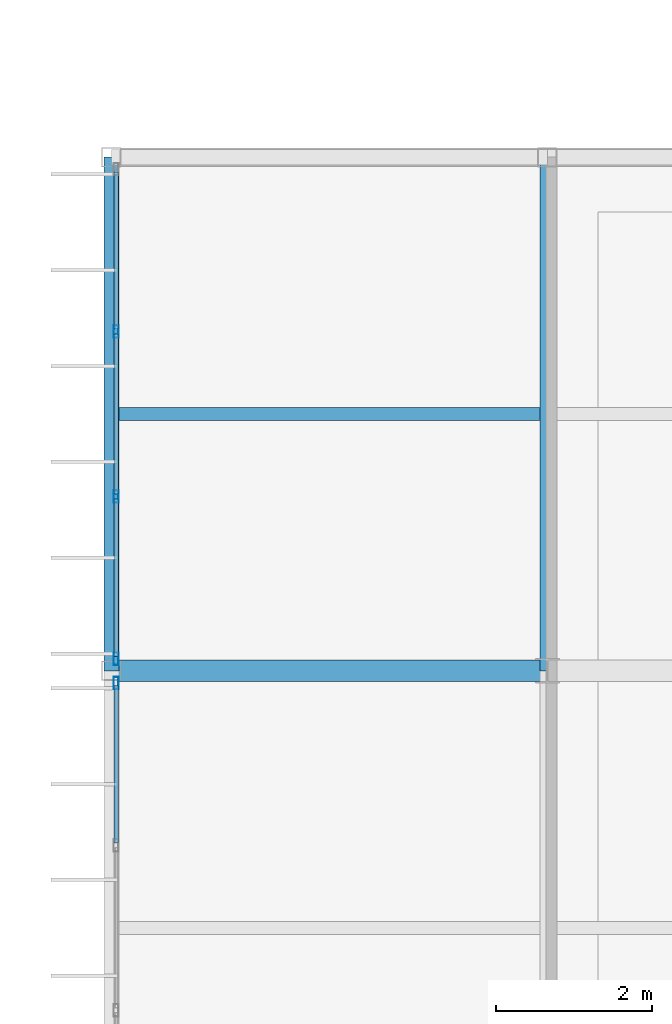
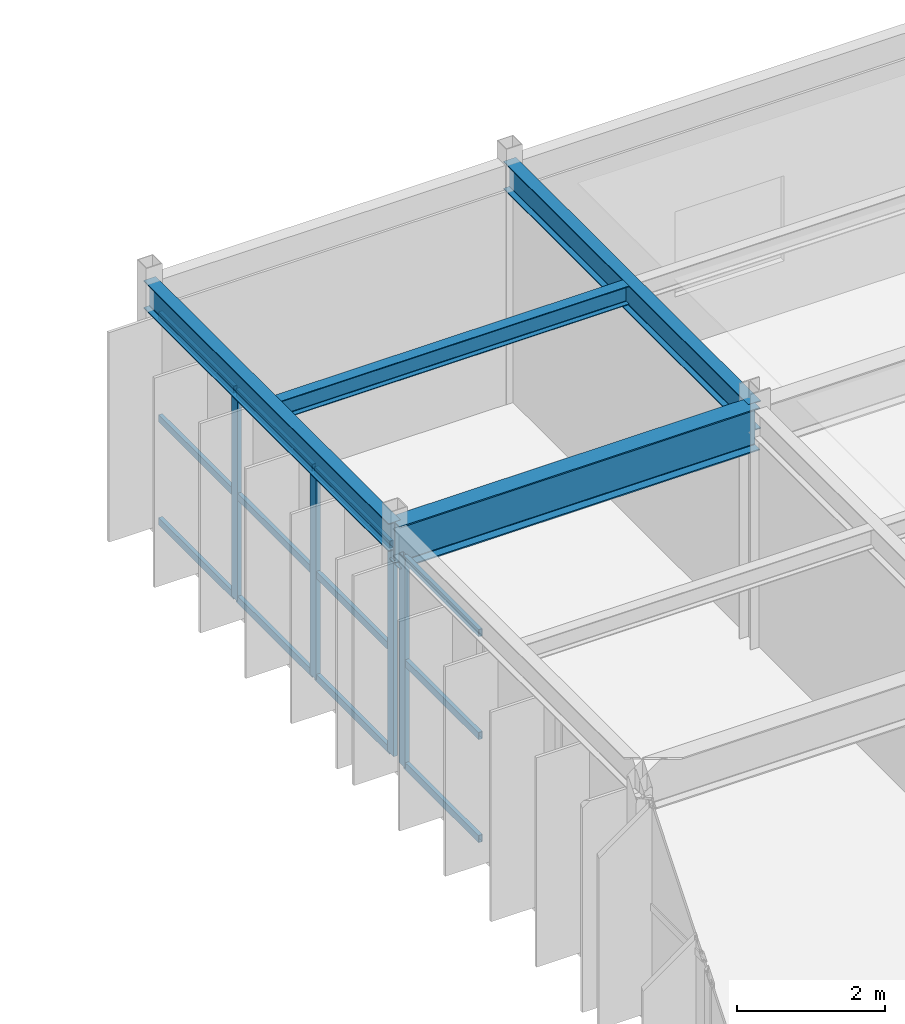
# One storey, part 67 of 147: 16 members, 4 beams, 2 elements without a shape of their own.
"""IFC4 building model written with IfcOpenShell, lengths in metres."""

from ifc_helpers import new_model, si_unit, direction, frame, origin, origin_2d, place, context, subcontext, project, spatial, hollow_rectangle, i_section, extrude, material, material_profile, profile_set, type_object, element, aggregate, save


model = new_model("IFC4")

# Units and contexts
model_context = context("Model", 3, precision=1e-05, world=origin(), true_north=direction((0.0, 1.0)))
body_context = subcontext(model_context, "Body", "Model", "MODEL_VIEW")
ifc_project = project(units=[si_unit("LENGTHUNIT", "METRE"), si_unit("AREAUNIT", "SQUARE_METRE"), si_unit("VOLUMEUNIT", "CUBIC_METRE"), si_unit("PLANEANGLEUNIT", "RADIAN"), si_unit("MASSUNIT", "GRAM", prefix="KILO")], contexts=[model_context])

# Site, building, storey
site_placement = place(None, origin())
site = spatial("IfcSite", under=ifc_project, at=site_placement, CompositionType="ELEMENT")
building_placement = place(site_placement, origin())
building = spatial("IfcBuilding", under=site, at=building_placement, Name="Karori Crest Natural Sciences Institute", CompositionType="ELEMENT")
storey_placement = place(building_placement, frame((0.0, 0.0, 9.10009765625)))
storey = spatial("IfcBuildingStorey", under=building, at=storey_placement, Name="L02", CompositionType="ELEMENT", Elevation=9.10009765625)

# Beams
ifc_material_1 = material(Name="Structural steel AS/NZS 3679.1 Grade 350", Category="steel")
ifc_material_profile_1 = material_profile(ifc_material_1, i_section(OverallWidth=0.27490234375, OverallDepth=0.699951171875, WebThickness=0.010009765625, FlangeThickness=0.02001953125, FilletRadius=0.013916015625, at=origin_2d()), Name="700WB150")
ifc_profile_set_1 = profile_set([ifc_material_profile_1], Name="Structural steel AS/NZS 3679.1 Grade 350")
beam_type_1 = type_object("IfcBeamType", Name="BT-03", PredefinedType="BEAM", material=ifc_profile_set_1)
beam_1_placement = place(storey_placement, frame((1.800048828125, 66.800048828125, 3.56982421875), z_axis=(1.0, 0.0, 0.0), x_axis=(0.0, 1.0, 0.0)))
element("IfcBeam", 1, at=beam_1_placement, inside=storey, type_object=beam_type_1, Name="Beam B-1090", PredefinedType="BEAM", context=body_context, shape_type="SweptSolid", body=[
    extrude(i_section(OverallWidth=0.27490234375, OverallDepth=0.699951171875, WebThickness=0.010009765625, FlangeThickness=0.02001953125, FilletRadius=0.013916015625, at=origin_2d()), origin(), (0.0, 0.0, 1.0), 5.599853515625),
])
ifc_material_profile_2 = material_profile(ifc_material_1, i_section(OverallWidth=0.19091796875, OverallDepth=0.4599609375, WebThickness=0.010009765625, FlangeThickness=0.01611328125, FilletRadius=0.010986328125, at=origin_2d()), Name="460UB82.1")
ifc_profile_set_2 = profile_set([ifc_material_profile_2], Name="Structural steel AS/NZS 3679.1 Grade 350")
beam_type_2 = type_object("IfcBeamType", Name="BT-06", PredefinedType="BEAM", material=ifc_profile_set_2)
beam_2_placement = place(storey_placement, frame((7.39990234375, 66.800048828125, 3.68994140625), z_axis=(0.0, 1.0, 0.0), x_axis=(-1.0, 0.0, 0.0)))
element("IfcBeam", 2, at=beam_2_placement, inside=storey, type_object=beam_type_2, Name="Beam B-1109", PredefinedType="BEAM", context=body_context, shape_type="SweptSolid", body=[
    extrude(i_section(OverallWidth=0.19091796875, OverallDepth=0.4599609375, WebThickness=0.010009765625, FlangeThickness=0.01611328125, FilletRadius=0.010986328125, at=origin_2d()), origin(), (0.0, 0.0, 1.0), 6.599853515625),
])
ifc_material_profile_3 = material_profile(ifc_material_1, i_section(OverallWidth=0.19091796875, OverallDepth=0.4599609375, WebThickness=0.010009765625, FlangeThickness=0.01611328125, FilletRadius=0.010986328125, at=origin_2d()), Name="460UB82.1")
ifc_profile_set_3 = profile_set([ifc_material_profile_3], Name="Structural steel AS/NZS 3679.1 Grade 350")
beam_type_3 = type_object("IfcBeamType", Name="BT-06-EL", PredefinedType="BEAM", material=ifc_profile_set_3)
beam_3_placement = place(storey_placement, frame((1.800048828125, 66.800048828125, 3.68994140625), z_axis=(0.0, 1.0, 0.0), x_axis=(-1.0, 0.0, 0.0)))
element("IfcBeam", 3, at=beam_3_placement, inside=storey, type_object=beam_type_3, Name="Beam B-1102", PredefinedType="BEAM", context=body_context, shape_type="SweptSolid", body=[
    extrude(i_section(OverallWidth=0.19091796875, OverallDepth=0.4599609375, WebThickness=0.010009765625, FlangeThickness=0.01611328125, FilletRadius=0.010986328125, at=origin_2d()), origin(), (0.0, 0.0, 1.0), 6.599853515625),
])
ifc_material_profile_4 = material_profile(ifc_material_1, i_section(OverallWidth=0.166015625, OverallDepth=0.306884765625, WebThickness=0.006591796875, FlangeThickness=0.01171875, FilletRadius=0.010986328125, at=origin_2d()), Name="310UB46.2")
ifc_profile_set_4 = profile_set([ifc_material_profile_4], Name="Structural steel AS/NZS 3679.1 Grade 350")
beam_type_4 = type_object("IfcBeamType", Name="BT-09", PredefinedType="BEAM", material=ifc_profile_set_4)
beam_4_placement = place(storey_placement, frame((1.8955078125, 70.10009765625, 3.766357421875), z_axis=(1.0, 0.0, 0.0), x_axis=(0.0, 1.0, 0.0)))
element("IfcBeam", 4, at=beam_4_placement, inside=storey, type_object=beam_type_4, Name="Beam B-1128", PredefinedType="BEAM", context=body_context, shape_type="SweptSolid", body=[
    extrude(i_section(OverallWidth=0.166015625, OverallDepth=0.306884765625, WebThickness=0.006591796875, FlangeThickness=0.01171875, FilletRadius=0.010986328125, at=origin_2d()), origin(), (0.0, 0.0, 1.0), 5.408935546875),
])

# Curtain wall, member
ifc_material_2 = material(Name="Anodised architectural aluminium 6063-T6", Category="aluminium")
curtain_wall_type = type_object("IfcCurtainWallType", Name="CWT-17", PredefinedType="NOTDEFINED", material=ifc_material_2)
curtain_wall_1_placement = place(storey_placement, origin())
curtain_wall_1 = element("IfcCurtainWall", 5, at=curtain_wall_1_placement, inside=storey, type_object=curtain_wall_type, Name="Curtain wall CW-0273", PredefinedType="NOTDEFINED")
ifc_material_profile_5 = material_profile(ifc_material_2, hollow_rectangle(XDim=0.06494140625, YDim=0.159912109375, WallThickness=0.00390625, at=origin_2d()), Name="CWM160x65x4")
ifc_profile_set_5 = profile_set([ifc_material_profile_5], Name="Anodised architectural aluminium 6063-T6")
member_type_1 = type_object("IfcMemberType", Name="CWM-01", PredefinedType="MULLION", material=ifc_profile_set_5)
member_1_placement = place(storey_placement, frame((1.860107421875, 66.64453125, 0.0), z_axis=(0.0, 0.0, 1.0), x_axis=(-1.0, 0.0, 0.0)))
member_1 = element("IfcMember", 6, at=member_1_placement, type_object=member_type_1, Name="CW-0273 mullion 4", PredefinedType="MULLION", context=body_context, shape_type="SweptSolid", body=[
    extrude(hollow_rectangle(XDim=0.06494140625, YDim=0.159912109375, WallThickness=0.00390625, at=origin_2d()), origin(), (0.0, 0.0, 1.0), 3.44482421875),
])

# Curtain wall, members
curtain_wall_2_placement = place(storey_placement, origin())
curtain_wall_2 = element("IfcCurtainWall", 7, at=curtain_wall_2_placement, inside=storey, type_object=curtain_wall_type, Name="Curtain wall CW-0274", PredefinedType="NOTDEFINED")
member_2_placement = place(storey_placement, frame((1.860107421875, 66.95556640625, 0.0), z_axis=(0.0, 0.0, 1.0), x_axis=(-1.0, 0.0, 0.0)))
member_2 = element("IfcMember", 8, at=member_2_placement, type_object=member_type_1, Name="CW-0274 mullion 1", PredefinedType="MULLION", context=body_context, shape_type="SweptSolid", body=[
    extrude(hollow_rectangle(XDim=0.06494140625, YDim=0.159912109375, WallThickness=0.00390625, at=origin_2d()), origin(), (0.0, 0.0, 1.0), 3.44482421875),
])
member_3_placement = place(storey_placement, frame((1.860107421875, 69.041015625, 0.0), z_axis=(0.0, 0.0, 1.0), x_axis=(-1.0, 0.0, 0.0)))
member_3 = element("IfcMember", 9, at=member_3_placement, type_object=member_type_1, Name="CW-0274 mullion 2", PredefinedType="MULLION", context=body_context, shape_type="SweptSolid", body=[
    extrude(hollow_rectangle(XDim=0.06494140625, YDim=0.159912109375, WallThickness=0.00390625, at=origin_2d()), origin(), (0.0, 0.0, 1.0), 3.44482421875),
])
member_4_placement = place(storey_placement, frame((1.860107421875, 71.158935546875, 0.0), z_axis=(0.0, 0.0, 1.0), x_axis=(-1.0, 0.0, 0.0)))
member_4 = element("IfcMember", 10, at=member_4_placement, type_object=member_type_1, Name="CW-0274 mullion 3", PredefinedType="MULLION", context=body_context, shape_type="SweptSolid", body=[
    extrude(hollow_rectangle(XDim=0.06494140625, YDim=0.159912109375, WallThickness=0.00390625, at=origin_2d()), origin(), (0.0, 0.0, 1.0), 3.44482421875),
])

# Member
ifc_material_profile_6 = material_profile(ifc_material_2, hollow_rectangle(XDim=0.06005859375, YDim=0.1201171875, WallThickness=0.00390625, at=origin_2d()), Name="CWT120x60x4")
ifc_profile_set_6 = profile_set([ifc_material_profile_6], Name="Anodised architectural aluminium 6063-T6")
member_type_2 = type_object("IfcMemberType", Name="CWT-TR1", PredefinedType="USERDEFINED", material=ifc_profile_set_6)
member_5_placement = place(storey_placement, frame((1.860107421875, 64.591552734375, 0.02978515625), z_axis=(0.0, 1.0, 0.0), x_axis=(-1.0, 0.0, 0.0)))
member_5 = element("IfcMember", 11, at=member_5_placement, type_object=member_type_2, Name="CW-0273 transom 3.1", ObjectType="TRANSOM", PredefinedType="USERDEFINED", context=body_context, shape_type="SweptSolid", body=[
    extrude(hollow_rectangle(XDim=0.06005859375, YDim=0.1201171875, WallThickness=0.00390625, at=origin_2d()), origin(), (0.0, 0.0, 1.0), 2.0205078125),
])

member_6_placement = place(storey_placement, frame((1.860107421875, 64.591552734375, 1.722412109375), z_axis=(0.0, 1.0, 0.0), x_axis=(-1.0, 0.0, 0.0)))
member_6 = element("IfcMember", 12, at=member_6_placement, type_object=member_type_2, Name="CW-0273 transom 3.2", ObjectType="TRANSOM", PredefinedType="USERDEFINED", context=body_context, shape_type="SweptSolid", body=[
    extrude(hollow_rectangle(XDim=0.06005859375, YDim=0.1201171875, WallThickness=0.00390625, at=origin_2d()), origin(), (0.0, 0.0, 1.0), 2.0205078125),
])

member_7_placement = place(storey_placement, frame((1.860107421875, 64.591552734375, 3.414794921875), z_axis=(0.0, 1.0, 0.0), x_axis=(-1.0, 0.0, 0.0)))
member_7 = element("IfcMember", 13, at=member_7_placement, type_object=member_type_2, Name="CW-0273 transom 3.3", ObjectType="TRANSOM", PredefinedType="USERDEFINED", context=body_context, shape_type="SweptSolid", body=[
    extrude(hollow_rectangle(XDim=0.06005859375, YDim=0.1201171875, WallThickness=0.00390625, at=origin_2d()), origin(), (0.0, 0.0, 1.0), 2.0205078125),
])

aggregate(curtain_wall_1, [member_1, member_5, member_6, member_7])

member_8_placement = place(storey_placement, frame((1.860107421875, 66.988037109375, 0.02978515625), z_axis=(0.0, 1.0, 0.0), x_axis=(-1.0, 0.0, 0.0)))
member_8 = element("IfcMember", 14, at=member_8_placement, type_object=member_type_2, Name="CW-0274 transom 1.1", ObjectType="TRANSOM", PredefinedType="USERDEFINED", context=body_context, shape_type="SweptSolid", body=[
    extrude(hollow_rectangle(XDim=0.06005859375, YDim=0.1201171875, WallThickness=0.00390625, at=origin_2d()), origin(), (0.0, 0.0, 1.0), 2.0205078125),
])

member_9_placement = place(storey_placement, frame((1.860107421875, 66.988037109375, 1.722412109375), z_axis=(0.0, 1.0, 0.0), x_axis=(-1.0, 0.0, 0.0)))
member_9 = element("IfcMember", 15, at=member_9_placement, type_object=member_type_2, Name="CW-0274 transom 1.2", ObjectType="TRANSOM", PredefinedType="USERDEFINED", context=body_context, shape_type="SweptSolid", body=[
    extrude(hollow_rectangle(XDim=0.06005859375, YDim=0.1201171875, WallThickness=0.00390625, at=origin_2d()), origin(), (0.0, 0.0, 1.0), 2.0205078125),
])

member_10_placement = place(storey_placement, frame((1.860107421875, 66.988037109375, 3.414794921875), z_axis=(0.0, 1.0, 0.0), x_axis=(-1.0, 0.0, 0.0)))
member_10 = element("IfcMember", 16, at=member_10_placement, type_object=member_type_2, Name="CW-0274 transom 1.3", ObjectType="TRANSOM", PredefinedType="USERDEFINED", context=body_context, shape_type="SweptSolid", body=[
    extrude(hollow_rectangle(XDim=0.06005859375, YDim=0.1201171875, WallThickness=0.00390625, at=origin_2d()), origin(), (0.0, 0.0, 1.0), 2.0205078125),
])

member_11_placement = place(storey_placement, frame((1.860107421875, 69.073486328125, 0.02978515625), z_axis=(0.0, 1.0, 0.0), x_axis=(-1.0, 0.0, 0.0)))
member_11 = element("IfcMember", 17, at=member_11_placement, type_object=member_type_2, Name="CW-0274 transom 2.1", ObjectType="TRANSOM", PredefinedType="USERDEFINED", context=body_context, shape_type="SweptSolid", body=[
    extrude(hollow_rectangle(XDim=0.06005859375, YDim=0.1201171875, WallThickness=0.00390625, at=origin_2d()), origin(), (0.0, 0.0, 1.0), 2.052978515625),
])

member_12_placement = place(storey_placement, frame((1.860107421875, 69.073486328125, 1.722412109375), z_axis=(0.0, 1.0, 0.0), x_axis=(-1.0, 0.0, 0.0)))
member_12 = element("IfcMember", 18, at=member_12_placement, type_object=member_type_2, Name="CW-0274 transom 2.2", ObjectType="TRANSOM", PredefinedType="USERDEFINED", context=body_context, shape_type="SweptSolid", body=[
    extrude(hollow_rectangle(XDim=0.06005859375, YDim=0.1201171875, WallThickness=0.00390625, at=origin_2d()), origin(), (0.0, 0.0, 1.0), 2.052978515625),
])

member_13_placement = place(storey_placement, frame((1.860107421875, 69.073486328125, 3.414794921875), z_axis=(0.0, 1.0, 0.0), x_axis=(-1.0, 0.0, 0.0)))
member_13 = element("IfcMember", 19, at=member_13_placement, type_object=member_type_2, Name="CW-0274 transom 2.3", ObjectType="TRANSOM", PredefinedType="USERDEFINED", context=body_context, shape_type="SweptSolid", body=[
    extrude(hollow_rectangle(XDim=0.06005859375, YDim=0.1201171875, WallThickness=0.00390625, at=origin_2d()), origin(), (0.0, 0.0, 1.0), 2.052978515625),
])

member_14_placement = place(storey_placement, frame((1.860107421875, 71.19140625, 0.02978515625), z_axis=(0.0, 1.0, 0.0), x_axis=(-1.0, 0.0, 0.0)))
member_14 = element("IfcMember", 20, at=member_14_placement, type_object=member_type_2, Name="CW-0274 transom 3.1", ObjectType="TRANSOM", PredefinedType="USERDEFINED", context=body_context, shape_type="SweptSolid", body=[
    extrude(hollow_rectangle(XDim=0.06005859375, YDim=0.1201171875, WallThickness=0.00390625, at=origin_2d()), origin(), (0.0, 0.0, 1.0), 2.0205078125),
])

member_15_placement = place(storey_placement, frame((1.860107421875, 71.19140625, 1.722412109375), z_axis=(0.0, 1.0, 0.0), x_axis=(-1.0, 0.0, 0.0)))
member_15 = element("IfcMember", 21, at=member_15_placement, type_object=member_type_2, Name="CW-0274 transom 3.2", ObjectType="TRANSOM", PredefinedType="USERDEFINED", context=body_context, shape_type="SweptSolid", body=[
    extrude(hollow_rectangle(XDim=0.06005859375, YDim=0.1201171875, WallThickness=0.00390625, at=origin_2d()), origin(), (0.0, 0.0, 1.0), 2.0205078125),
])

member_16_placement = place(storey_placement, frame((1.860107421875, 71.19140625, 3.414794921875), z_axis=(0.0, 1.0, 0.0), x_axis=(-1.0, 0.0, 0.0)))
member_16 = element("IfcMember", 22, at=member_16_placement, type_object=member_type_2, Name="CW-0274 transom 3.3", ObjectType="TRANSOM", PredefinedType="USERDEFINED", context=body_context, shape_type="SweptSolid", body=[
    extrude(hollow_rectangle(XDim=0.06005859375, YDim=0.1201171875, WallThickness=0.00390625, at=origin_2d()), origin(), (0.0, 0.0, 1.0), 2.0205078125),
])

aggregate(curtain_wall_2, [member_2, member_3, member_4, member_8, member_9, member_10, member_11, member_12, member_13, member_14, member_15, member_16])

save(model, "model.ifc")
